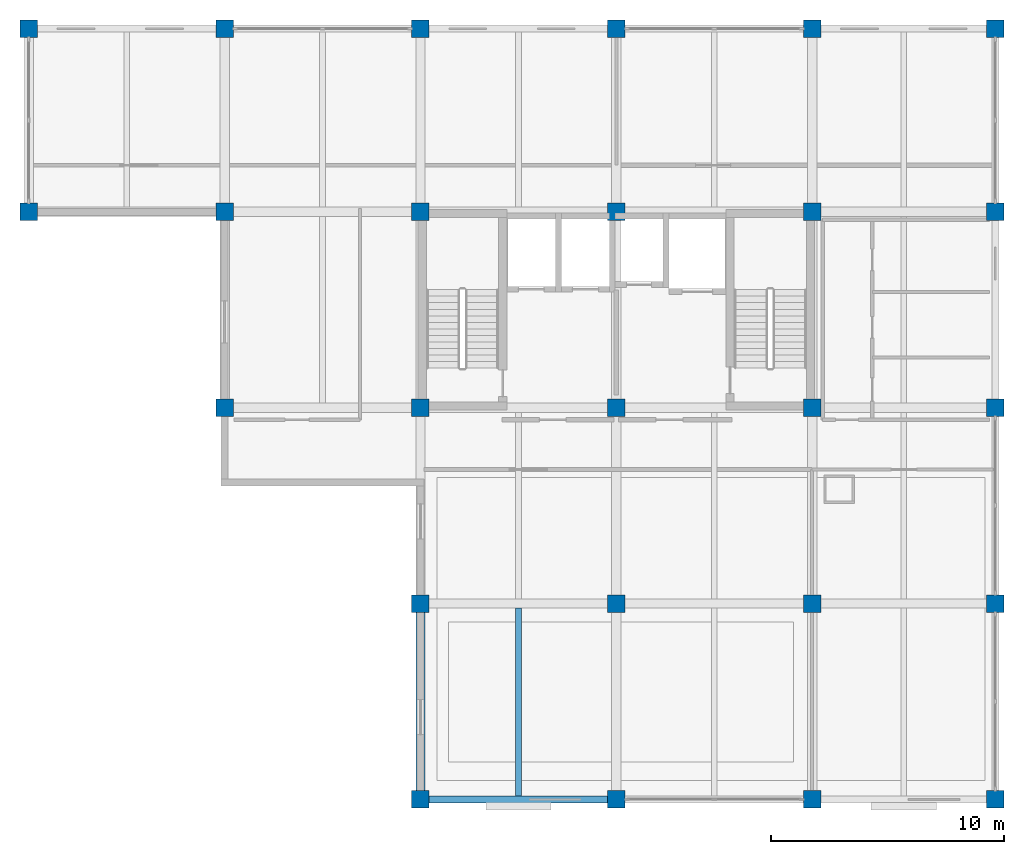
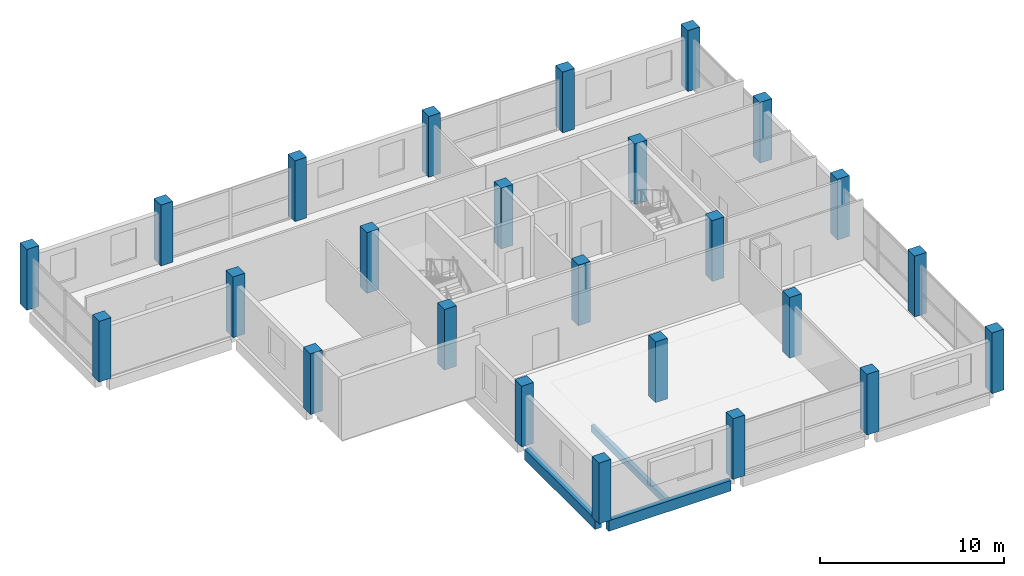
# One storey, part 1 of 9: 25 columns, 3 beams.
"""IFC4 building model written with IfcOpenShell, lengths in metres."""

from ifc_helpers import new_model, si_unit, direction, frame, origin, origin_2d, place, context, subcontext, project, spatial, rectangle, extrude, material, material_profile, profile_set, type_object, element, save


model = new_model("IFC4")

# Units and contexts
model_context = context("Model", 3, precision=1e-05, world=origin(), true_north=direction((0.0, 1.0)))
body_context = subcontext(model_context, "Body", "Model", "MODEL_VIEW")
ifc_project = project(units=[si_unit("LENGTHUNIT", "METRE"), si_unit("AREAUNIT", "SQUARE_METRE"), si_unit("VOLUMEUNIT", "CUBIC_METRE"), si_unit("PLANEANGLEUNIT", "RADIAN"), si_unit("MASSUNIT", "GRAM", prefix="KILO")], contexts=[model_context])

# Site, building, storey
site_placement = place(None, origin())
site = spatial("IfcSite", under=ifc_project, at=site_placement, CompositionType="ELEMENT")
building_placement = place(site_placement, origin())
building = spatial("IfcBuilding", under=site, at=building_placement, Name="Brinegate Botanical Conservatory", CompositionType="ELEMENT")
storey_placement = place(building_placement, frame((0.0, 0.0, 48.60009765625)))
storey = spatial("IfcBuildingStorey", under=building, at=storey_placement, Name="L12", CompositionType="ELEMENT", Elevation=48.60009765625)

# Columns
ifc_material = material(Name="Concrete C40/50", Category="concrete")
ifc_material_profile_1 = material_profile(ifc_material, rectangle(XDim=0.75, YDim=0.75, at=origin_2d()), Name="RC COL 750x750")
ifc_profile_set_1 = profile_set([ifc_material_profile_1], Name="Concrete C40/50")
column_type = type_object("IfcColumnType", Name="Col_C-T4", PredefinedType="COLUMN", material=ifc_profile_set_1)
for number, where, z_axis, x_axis, name in (
    (1, (122.0, 103.60009765625, 0.0), (0.0, 0.0, 1.0), (1.0, 0.0, 0.0), "Column C-T4 L12 N-16"),
    (2, (122.0, 111.449951171875, 0.0), (0.0, 0.0, 1.0), (1.0, 0.0, 0.0), "Column C-T4 L12 P-16"),
    (3, (130.39990234375, 95.199951171875, 0.0), (0.0, 0.0, 1.0), (1.0, 0.0, 0.0), "Column C-T4 L12 M-17"),
    (4, (130.39990234375, 103.60009765625, 0.0), (0.0, 0.0, 1.0), (1.0, 0.0, 0.0), "Column C-T4 L12 N-17"),
    (5, (130.39990234375, 111.449951171875, 0.0), (0.0, 0.0, 1.0), (1.0, 0.0, 0.0), "Column C-T4 L12 P-17"),
    (6, (138.800048828125, 78.39990234375, 0.0), (0.0, 0.0, 1.0), (1.0, 0.0, 0.0), "Column C-T4 L12 K-18"),
    (7, (138.800048828125, 86.800048828125, 0.0), (0.0, 0.0, 1.0), (1.0, 0.0, 0.0), "Column C-T4 L12 L-18"),
    (8, (138.800048828125, 95.199951171875, 0.0), (0.0, 0.0, 1.0), (1.0, 0.0, 0.0), "Column C-T4 L12 M-18"),
    (9, (138.800048828125, 103.60009765625, 0.0), (0.0, 0.0, 1.0), (1.0, 0.0, 0.0), "Column C-T4 L12 N-18"),
    (10, (138.800048828125, 111.449951171875, 0.0), (0.0, 0.0, 1.0), (1.0, 0.0, 0.0), "Column C-T4 L12 P-18"),
    (11, (147.199951171875, 78.39990234375, 0.0), (0.0, 0.0, 1.0), (1.0, 0.0, 0.0), "Column C-T4 L12 K-19"),
    (12, (147.199951171875, 86.800048828125, 0.0), (0.0, 0.0, 1.0), (1.0, 0.0, 0.0), "Column C-T4 L12 L-19"),
    (13, (147.199951171875, 95.199951171875, 0.0), (0.0, 0.0, 1.0), (1.0, 0.0, 0.0), "Column C-T4 L12 M-19"),
    (14, (147.199951171875, 103.60009765625, 0.0), (0.0, 0.0, 1.0), (1.0, 0.0, 0.0), "Column C-T4 L12 N-19"),
    (15, (147.199951171875, 111.449951171875, 0.0), (0.0, 0.0, 1.0), (1.0, 0.0, 0.0), "Column C-T4 L12 P-19"),
    (16, (155.60009765625, 78.39990234375, 0.0), (0.0, 0.0, 1.0), (1.0, 0.0, 0.0), "Column C-T4 L12 K-20"),
    (17, (155.60009765625, 86.800048828125, 0.0), (0.0, 0.0, 1.0), (1.0, 0.0, 0.0), "Column C-T4 L12 L-20"),
    (18, (155.60009765625, 95.199951171875, 0.0), (0.0, 0.0, 1.0), (1.0, 0.0, 0.0), "Column C-T4 L12 M-20"),
    (19, (155.60009765625, 103.60009765625, 0.0), (0.0, 0.0, 1.0), (1.0, 0.0, 0.0), "Column C-T4 L12 N-20"),
    (20, (155.60009765625, 111.449951171875, 0.0), (0.0, 0.0, 1.0), (1.0, 0.0, 0.0), "Column C-T4 L12 P-20"),
    (21, (163.449951171875, 78.39990234375, 0.0), (0.0, 0.0, 1.0), (1.0, 0.0, 0.0), "Column C-T4 L12 K-21"),
    (22, (163.449951171875, 86.800048828125, 0.0), (0.0, 0.0, 1.0), (1.0, 0.0, 0.0), "Column C-T4 L12 L-21"),
    (23, (163.449951171875, 95.199951171875, 0.0), (0.0, 0.0, 1.0), (1.0, 0.0, 0.0), "Column C-T4 L12 M-21"),
    (24, (163.449951171875, 103.60009765625, 0.0), (0.0, 0.0, 1.0), (1.0, 0.0, 0.0), "Column C-T4 L12 N-21"),
    (25, (163.449951171875, 111.449951171875, 0.0), (0.0, 0.0, 1.0), (1.0, 0.0, 0.0), "Column C-T4 L12 P-21"),
):
    element("IfcColumn", number, at=place(storey_placement, frame(where, z_axis=z_axis, x_axis=x_axis)), inside=storey, type_object=column_type, Name=name, PredefinedType="COLUMN", context=body_context, shape_type="SweptSolid", body=[
        extrude(rectangle(XDim=0.75, YDim=0.75, at=origin_2d()), origin(), (0.0, 0.0, 1.0), 4.02978515625),
    ])

# Beams
ifc_material_profile_2 = material_profile(ifc_material, rectangle(XDim=0.39990234375, YDim=0.699951171875, at=origin_2d()), Name="RC BM 400x700")
ifc_profile_set_2 = profile_set([ifc_material_profile_2], Name="Concrete C40/50")
beam_type_1 = type_object("IfcBeamType", Name="Beam_BM-T2", PredefinedType="BEAM", material=ifc_profile_set_2)
beam_1_placement = place(storey_placement, frame((138.800048828125, 78.77490234375, -0.5400390625), z_axis=(0.0, 1.0, 0.0), x_axis=(-1.0, 0.0, 0.0)))
element("IfcBeam", 26, at=beam_1_placement, inside=storey, type_object=beam_type_1, Name="Beam BM-T2 L12 18:K-L", PredefinedType="BEAM", context=body_context, shape_type="SweptSolid", body=[
    extrude(rectangle(XDim=0.39990234375, YDim=0.699951171875, at=origin_2d()), origin(), (0.0, 0.0, 1.0), 7.650146484375),
])
ifc_material_profile_3 = material_profile(ifc_material, rectangle(XDim=0.25, YDim=0.449951171875, at=origin_2d()), Name="RC JST 250x450")
ifc_profile_set_3 = profile_set([ifc_material_profile_3], Name="Concrete C40/50")
beam_type_2 = type_object("IfcBeamType", Name="Beam_JS-C3", PredefinedType="JOIST", material=ifc_profile_set_3)
beam_2_placement = place(storey_placement, frame((143.0, 78.550048828125, -0.4150390625), z_axis=(0.0, 1.0, 0.0), x_axis=(-1.0, 0.0, 0.0)))
element("IfcBeam", 27, at=beam_2_placement, inside=storey, type_object=beam_type_2, Name="Floor joist JS-C3 L12 bay 18.10", PredefinedType="JOIST", context=body_context, shape_type="SweptSolid", body=[
    extrude(rectangle(XDim=0.25, YDim=0.449951171875, at=origin_2d()), origin(), (0.0, 0.0, 1.0), 8.050048828125),
])
ifc_material_profile_4 = material_profile(ifc_material, rectangle(XDim=0.300048828125, YDim=0.699951171875, at=origin_2d()), Name="RC SPN 300x700")
ifc_profile_set_4 = profile_set([ifc_material_profile_4], Name="Concrete C40/50")
beam_type_3 = type_object("IfcBeamType", Name="Beam_SP-02", PredefinedType="SPANDREL", material=ifc_profile_set_4)
beam_3_placement = place(storey_placement, frame((139.175048828125, 78.39990234375, -0.5400390625), z_axis=(1.0, 0.0, 0.0), x_axis=(0.0, 1.0, 0.0)))
element("IfcBeam", 28, at=beam_3_placement, inside=storey, type_object=beam_type_3, Name="Beam SP-02 L12 K:18-19", PredefinedType="SPANDREL", context=body_context, shape_type="SweptSolid", body=[
    extrude(rectangle(XDim=0.300048828125, YDim=0.699951171875, at=origin_2d()), origin(), (0.0, 0.0, 1.0), 7.64990234375),
])

save(model, "model.ifc")
